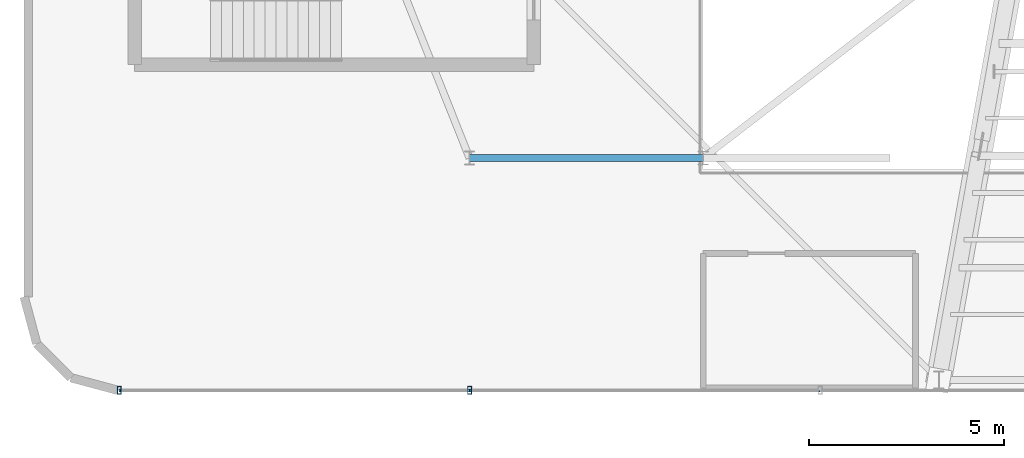
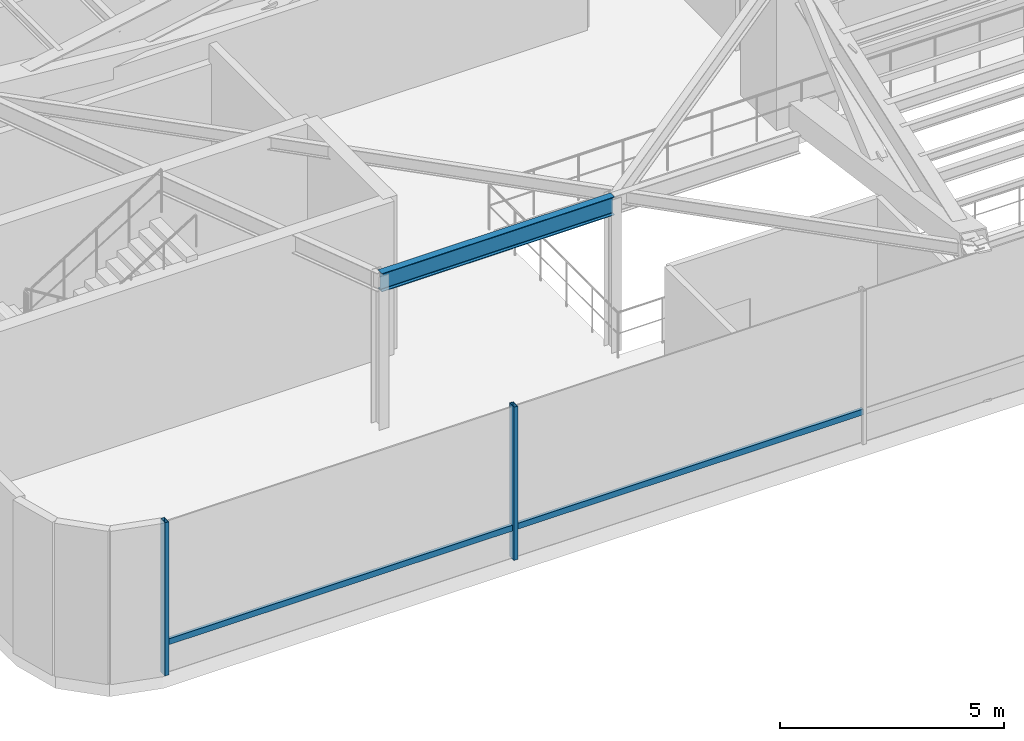
# One storey, part 5 of 32: 4 members, 1 beam, 1 element without a shape of its own.
"""IFC4 building model written with IfcOpenShell, lengths in metres."""

from ifc_helpers import new_model, si_unit, direction, frame, origin, origin_2d, place, context, subcontext, project, spatial, hollow_rectangle, i_section, extrude, source, transform, mapped, material, material_profile, profile_set, type_object, element, aggregate, save


model = new_model("IFC4")

# Units and contexts
model_context = context("Model", 3, precision=1e-05, world=origin(), true_north=direction((0.0, 1.0)))
body_context = subcontext(model_context, "Body", "Model", "MODEL_VIEW")
ifc_project = project(units=[si_unit("LENGTHUNIT", "METRE"), si_unit("AREAUNIT", "SQUARE_METRE"), si_unit("VOLUMEUNIT", "CUBIC_METRE"), si_unit("PLANEANGLEUNIT", "RADIAN"), si_unit("MASSUNIT", "GRAM", prefix="KILO")], contexts=[model_context])

# Site, building, storey
site_placement = place(None, origin())
site = spatial("IfcSite", under=ifc_project, at=site_placement, CompositionType="ELEMENT")
building_placement = place(site_placement, origin())
building = spatial("IfcBuilding", under=site, at=building_placement, Name="Sahyath Konkavel Grand Hotel", CompositionType="ELEMENT")
storey_placement = place(building_placement, frame((0.0, 0.0, 14.10009765625)))
storey = spatial("IfcBuildingStorey", under=building, at=storey_placement, Name="L03", CompositionType="ELEMENT", Elevation=14.10009765625)

# Beam
ifc_material_1 = material(Name="Steel E350", Category="steel")
ifc_material_profile_1 = material_profile(ifc_material_1, i_section(OverallWidth=0.179931640625, OverallDepth=0.5, WebThickness=0.01025390625, FlangeThickness=0.01708984375, FilletRadius=0.01708984375, at=origin_2d()), Name="ISMB 500")
ifc_profile_set_1 = profile_set([ifc_material_profile_1], Name="Steel E350")
beam_type = type_object("IfcBeamType", Name="BM-ISMB500", PredefinedType="BEAM", material=ifc_profile_set_1)
shared_shape_1 = source(origin(), body_context, "Body", "SweptSolid", [
    extrude(i_section(OverallWidth=0.179931640625, OverallDepth=0.5, WebThickness=0.01025390625, FlangeThickness=0.01708984375, FilletRadius=0.01708984375, at=origin_2d()), origin(), (0.0, 0.0, 1.0), 6.0),
])
beam_placement = place(storey_placement, frame((-18.0, -16.5, 3.929931640625), z_axis=(1.0, 0.0, 0.0), x_axis=(0.0, 1.0, 0.0)))
element("IfcBeam", 1, at=beam_placement, inside=storey, type_object=beam_type, Name="str:bm:L03:POD34-05", PredefinedType="BEAM", context=body_context, shape_type="MappedRepresentation", body=[
    mapped(shared_shape_1, transform((0.0, 0.0, 0.0), scale=1.0)),
])

# Curtain wall, members
ifc_material_2 = material(Name="Anodised Bronze Aluminium & Low-E Glazing", Category="aluminium")
curtain_wall_type = type_object("IfcCurtainWallType", Name="CW-PODIUM", PredefinedType="NOTDEFINED", material=ifc_material_2)
curtain_wall_placement = place(storey_placement, origin())
curtain_wall = element("IfcCurtainWall", 2, at=curtain_wall_placement, inside=storey, type_object=curtain_wall_type, Name="L03 Unitised Curtain Wall S", PredefinedType="NOTDEFINED")
ifc_material_3 = material(Name="Anodised Bronze Aluminium", Category="aluminium")
ifc_material_profile_2 = material_profile(ifc_material_3, hollow_rectangle(XDim=0.10009765625, YDim=0.199951171875, WallThickness=0.008056640625, at=origin_2d()), Name="RHS 200x100x8")
ifc_profile_set_2 = profile_set([ifc_material_profile_2], Name="Anodised Bronze Aluminium")
member_type_1 = type_object("IfcMemberType", Name="CW-MUL-200", PredefinedType="MULLION", material=ifc_profile_set_2)
shared_shape_2 = source(origin(), body_context, "Body", "SweptSolid", [
    extrude(hollow_rectangle(XDim=0.10009765625, YDim=0.199951171875, WallThickness=0.008056640625, at=origin_2d()), origin(), (0.0, 0.0, 1.0), 4.179931640625),
])
member_1_placement = place(storey_placement, frame((-26.99609375, -22.465087890625, 0.0), z_axis=(0.0, 0.0, 1.0), x_axis=(1.0, 0.0, 0.0)))
member_1 = element("IfcMember", 3, at=member_1_placement, type_object=member_type_1, Name="L03 Curtain Wall Mullion S-0", PredefinedType="MULLION", context=body_context, shape_type="MappedRepresentation", body=[
    mapped(shared_shape_2, transform((0.0, 0.0, 0.0), scale=1.0)),
])
member_2_placement = place(storey_placement, frame((-17.997314453125, -22.465087890625, 0.0), z_axis=(0.0, 0.0, 1.0), x_axis=(1.0, 0.0, 0.0)))
member_2 = element("IfcMember", 4, at=member_2_placement, type_object=member_type_1, Name="L03 Curtain Wall Mullion S-1", PredefinedType="MULLION", context=body_context, shape_type="MappedRepresentation", body=[
    mapped(shared_shape_2, transform((0.0, 0.0, 0.0), scale=1.0)),
])
ifc_material_profile_3 = material_profile(ifc_material_3, hollow_rectangle(XDim=0.080078125, YDim=0.159912109375, WallThickness=0.006103515625, at=origin_2d()), Name="RHS 160x80x6")
ifc_profile_set_3 = profile_set([ifc_material_profile_3], Name="Anodised Bronze Aluminium")
member_type_2 = type_object("IfcMemberType", Name="CW-TRN-160", PredefinedType="USERDEFINED", material=ifc_profile_set_3)
shared_shape_3 = source(origin(), body_context, "Body", "SweptSolid", [
    extrude(hollow_rectangle(XDim=0.080078125, YDim=0.159912109375, WallThickness=0.006103515625, at=origin_2d()), origin(), (0.0, 0.0, 1.0), 8.998779296875),
])
member_3_placement = place(storey_placement, frame((-26.99609375, -22.465087890625, 0.849853515625), z_axis=(1.0, 0.0, 0.0), x_axis=(0.0, 1.0, 0.0)))
member_3 = element("IfcMember", 5, at=member_3_placement, type_object=member_type_2, Name="L03 Curtain Wall Transom S-0-spandrel", ObjectType="TRANSOM", PredefinedType="USERDEFINED", context=body_context, shape_type="MappedRepresentation", body=[
    mapped(shared_shape_3, transform((0.0, 0.0, 0.0), scale=1.0)),
])
shared_shape_4 = source(origin(), body_context, "Body", "SweptSolid", [
    extrude(hollow_rectangle(XDim=0.080078125, YDim=0.159912109375, WallThickness=0.006103515625, at=origin_2d()), origin(), (0.0, 0.0, 1.0), 8.99853515625),
])
member_4_placement = place(storey_placement, frame((-17.997314453125, -22.465087890625, 0.849853515625), z_axis=(1.0, 0.0, 0.0), x_axis=(0.0, 1.0, 0.0)))
member_4 = element("IfcMember", 6, at=member_4_placement, type_object=member_type_2, Name="L03 Curtain Wall Transom S-1-spandrel", ObjectType="TRANSOM", PredefinedType="USERDEFINED", context=body_context, shape_type="MappedRepresentation", body=[
    mapped(shared_shape_4, transform((0.0, 0.0, 0.0), scale=1.0)),
])
aggregate(curtain_wall, [member_1, member_2, member_3, member_4])

save(model, "model.ifc")
